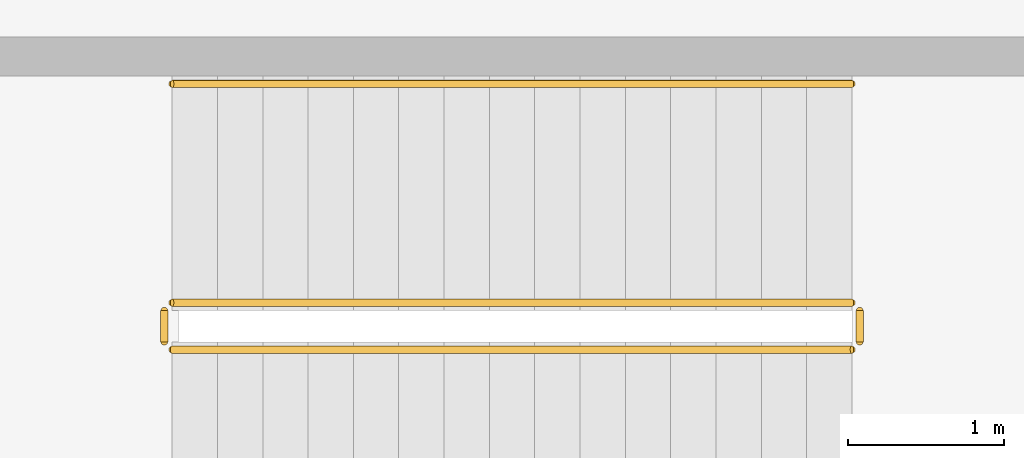
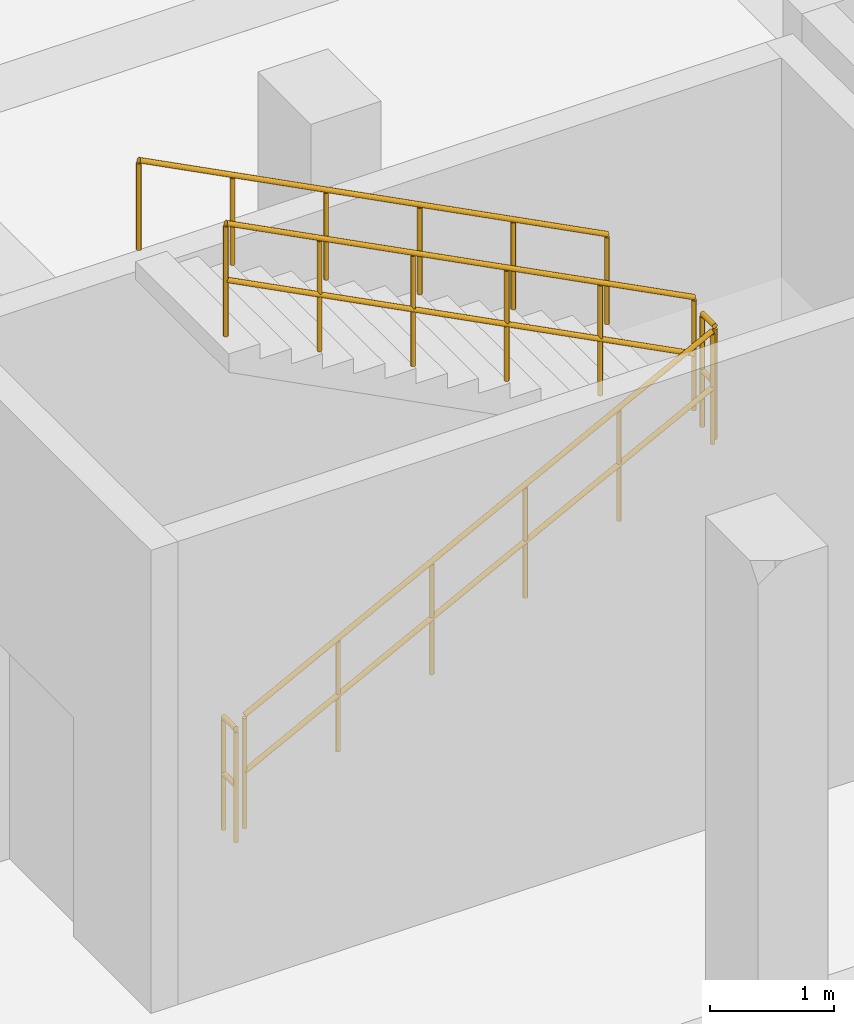
# One storey, part 178 of 181: 5 railings.
"""IFC4 building model written with IfcOpenShell, lengths in metres."""

from ifc_helpers import new_model, si_unit, direction, frame, origin, origin_2d, place, context, subcontext, project, spatial, circle, extrude, material, type_object, element, save


model = new_model("IFC4")

# Units and contexts
model_context = context("Model", 3, precision=1e-05, world=origin(), true_north=direction((0.0, 1.0)))
body_context = subcontext(model_context, "Body", "Model", "MODEL_VIEW")
ifc_project = project(units=[si_unit("LENGTHUNIT", "METRE"), si_unit("AREAUNIT", "SQUARE_METRE"), si_unit("VOLUMEUNIT", "CUBIC_METRE"), si_unit("PLANEANGLEUNIT", "RADIAN"), si_unit("MASSUNIT", "GRAM", prefix="KILO")], contexts=[model_context])

# Site, building, storey
site_placement = place(None, origin())
site = spatial("IfcSite", under=ifc_project, at=site_placement, CompositionType="ELEMENT")
building_placement = place(site_placement, origin())
building = spatial("IfcBuilding", under=site, at=building_placement, Name="Seraya Terrace Polytechnic", CompositionType="ELEMENT")
storey_placement = place(building_placement, frame((0.0, 0.0, 4.800048828125)))
storey = spatial("IfcBuildingStorey", under=building, at=storey_placement, Name="L01", CompositionType="ELEMENT", Elevation=4.800048828125)

# Railings
ifc_material = material(Name="Steel S355J2", Category="steel")
railing_type_1 = type_object("IfcRailingType", Name="GR-02", PredefinedType="GUARDRAIL", material=ifc_material)
railing_1_placement = place(storey_placement, frame((120.0, 90.64990234375, 0.14990234375)))
element("IfcRailing", 1, at=railing_1_placement, inside=storey, type_object=railing_type_1, Name="L01 ST-08 stair guard 1", PredefinedType="GUARDRAIL", context=body_context, shape_type="SweptSolid", body=[
    extrude(circle(Radius=0.02392578125, at=origin_2d()), frame((0.0, 0.0, 1.10595703125), z_axis=(0.888221851817, 0.0, 0.459414782038), x_axis=(0.0, 1.0, 0.0)), (0.0, 0.0, 1.0), 4.8974609375),
    extrude(circle(Radius=0.02392578125, at=origin_2d()), frame((0.0, 0.0, 0.550048828125), z_axis=(0.888221851817, 0.0, 0.459414782038), x_axis=(0.0, 1.0, 0.0)), (0.0, 0.0, 1.0), 4.8974609375),
    extrude(circle(Radius=0.02099609375, at=origin_2d()), origin(), (0.0, 0.0, 1.0), 1.081787109375),
    extrude(circle(Radius=0.02099609375, at=origin_2d()), frame((0.8701171875, 0.0, 0.449951171875)), (0.0, 0.0, 1.0), 1.081787109375),
    extrude(circle(Radius=0.02099609375, at=origin_2d()), frame((1.739990234375, 0.0, 0.89990234375)), (0.0, 0.0, 1.0), 1.081787109375),
    extrude(circle(Radius=0.02099609375, at=origin_2d()), frame((2.610107421875, 0.0, 1.35009765625)), (0.0, 0.0, 1.0), 1.081787109375),
    extrude(circle(Radius=0.02099609375, at=origin_2d()), frame((3.47998046875, 0.0, 1.800048828125)), (0.0, 0.0, 1.0), 1.081787109375),
    extrude(circle(Radius=0.02099609375, at=origin_2d()), frame((4.35009765625, 0.0, 2.25)), (0.0, 0.0, 1.0), 1.081787109375),
])
railing_2_placement = place(storey_placement, frame((124.39990234375, 90.699951171875, 2.39990234375)))
element("IfcRailing", 2, at=railing_2_placement, inside=storey, type_object=railing_type_1, Name="L01 ST-08 stair guard 2", PredefinedType="GUARDRAIL", context=body_context, shape_type="SweptSolid", body=[
    extrude(circle(Radius=0.02392578125, at=origin_2d()), frame((0.0, 0.0, 1.10595703125), z_axis=(0.0, 1.0, 0.0), x_axis=(-1.0, 0.0, 0.0)), (0.0, 0.0, 1.0), 0.199951171875),
    extrude(circle(Radius=0.02392578125, at=origin_2d()), frame((0.0, 0.0, 0.550048828125), z_axis=(0.0, 1.0, 0.0), x_axis=(-1.0, 0.0, 0.0)), (0.0, 0.0, 1.0), 0.199951171875),
    extrude(circle(Radius=0.02099609375, at=origin_2d()), origin(), (0.0, 0.0, 1.0), 1.081787109375),
    extrude(circle(Radius=0.02099609375, at=origin_2d()), frame((0.0, 0.199951171875, 0.0)), (0.0, 0.0, 1.0), 1.081787109375),
])
railing_3_placement = place(storey_placement, frame((124.35009765625, 90.949951171875, 2.550048828125)))
element("IfcRailing", 3, at=railing_3_placement, inside=storey, type_object=railing_type_1, Name="L01 ST-08 stair guard 3", PredefinedType="GUARDRAIL", context=body_context, shape_type="SweptSolid", body=[
    extrude(circle(Radius=0.02392578125, at=origin_2d()), frame((0.0, 0.0, 1.10595703125), z_axis=(-0.888221851817, 0.0, 0.459414782038), x_axis=(0.0, -1.0, 0.0)), (0.0, 0.0, 1.0), 4.8974609375),
    extrude(circle(Radius=0.02392578125, at=origin_2d()), frame((0.0, 0.0, 0.550048828125), z_axis=(-0.888221851817, 0.0, 0.459414782038), x_axis=(0.0, -1.0, 0.0)), (0.0, 0.0, 1.0), 4.8974609375),
    extrude(circle(Radius=0.02099609375, at=origin_2d()), origin(), (0.0, 0.0, 1.0), 1.081787109375),
    extrude(circle(Radius=0.02099609375, at=origin_2d()), frame((-0.8701171875, 0.0, 0.449951171875)), (0.0, 0.0, 1.0), 1.081787109375),
    extrude(circle(Radius=0.02099609375, at=origin_2d()), frame((-1.739990234375, 0.0, 0.89990234375)), (0.0, 0.0, 1.0), 1.081787109375),
    extrude(circle(Radius=0.02099609375, at=origin_2d()), frame((-2.610107421875, 0.0, 1.35009765625)), (0.0, 0.0, 1.0), 1.081787109375),
    extrude(circle(Radius=0.02099609375, at=origin_2d()), frame((-3.47998046875, 0.0, 1.800048828125)), (0.0, 0.0, 1.0), 1.081787109375),
    extrude(circle(Radius=0.02099609375, at=origin_2d()), frame((-4.35009765625, 0.0, 2.25)), (0.0, 0.0, 1.0), 1.081787109375),
])
railing_4_placement = place(storey_placement, frame((119.949951171875, 90.699951171875, 0.0)))
element("IfcRailing", 4, at=railing_4_placement, inside=storey, type_object=railing_type_1, Name="L01 ST-08 stair guard 4", PredefinedType="GUARDRAIL", context=body_context, shape_type="SweptSolid", body=[
    extrude(circle(Radius=0.02392578125, at=origin_2d()), frame((0.0, 0.0, 1.10595703125), z_axis=(0.0, 1.0, 0.0), x_axis=(-1.0, 0.0, 0.0)), (0.0, 0.0, 1.0), 0.199951171875),
    extrude(circle(Radius=0.02392578125, at=origin_2d()), frame((0.0, 0.0, 0.550048828125), z_axis=(0.0, 1.0, 0.0), x_axis=(-1.0, 0.0, 0.0)), (0.0, 0.0, 1.0), 0.199951171875),
    extrude(circle(Radius=0.02099609375, at=origin_2d()), origin(), (0.0, 0.0, 1.0), 1.081787109375),
    extrude(circle(Radius=0.02099609375, at=origin_2d()), frame((0.0, 0.199951171875, 0.0)), (0.0, 0.0, 1.0), 1.081787109375),
])
railing_type_2 = type_object("IfcRailingType", Name="HR-01", PredefinedType="HANDRAIL", material=ifc_material)
railing_5_placement = place(storey_placement, frame((124.35009765625, 92.35009765625, 2.550048828125)))
element("IfcRailing", 5, at=railing_5_placement, inside=storey, type_object=railing_type_2, Name="L01 ST-08 stair handrail 2", PredefinedType="HANDRAIL", context=body_context, shape_type="SweptSolid", body=[
    extrude(circle(Radius=0.02392578125, at=origin_2d()), frame((0.0, 0.0, 0.8759765625), z_axis=(-0.888221851817, 0.0, 0.459414782038), x_axis=(0.0, -1.0, 0.0)), (0.0, 0.0, 1.0), 4.8974609375),
    extrude(circle(Radius=0.02099609375, at=origin_2d()), origin(), (0.0, 0.0, 1.0), 0.851806640625),
    extrude(circle(Radius=0.02099609375, at=origin_2d()), frame((-0.8701171875, 0.0, 0.449951171875)), (0.0, 0.0, 1.0), 0.851806640625),
    extrude(circle(Radius=0.02099609375, at=origin_2d()), frame((-1.739990234375, 0.0, 0.89990234375)), (0.0, 0.0, 1.0), 0.851806640625),
    extrude(circle(Radius=0.02099609375, at=origin_2d()), frame((-2.610107421875, 0.0, 1.35009765625)), (0.0, 0.0, 1.0), 0.851806640625),
    extrude(circle(Radius=0.02099609375, at=origin_2d()), frame((-3.47998046875, 0.0, 1.800048828125)), (0.0, 0.0, 1.0), 0.851806640625),
    extrude(circle(Radius=0.02099609375, at=origin_2d()), frame((-4.35009765625, 0.0, 2.25)), (0.0, 0.0, 1.0), 0.851806640625),
])

save(model, "model.ifc")
